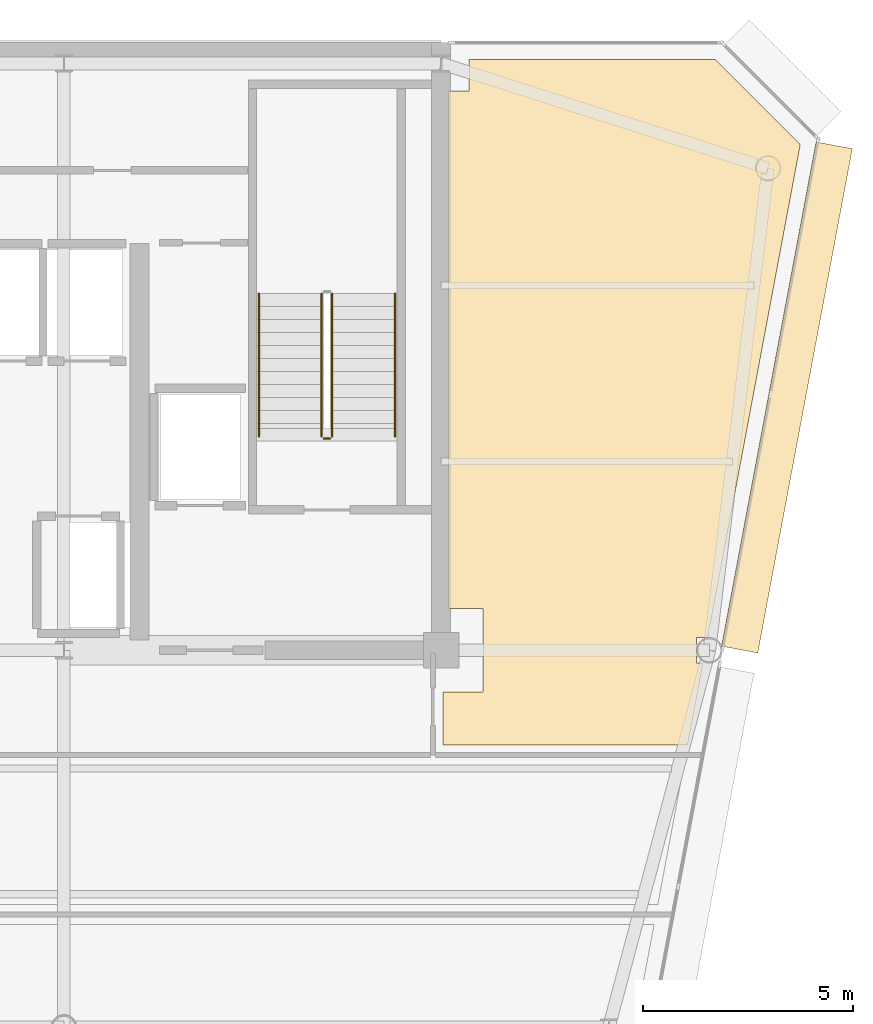
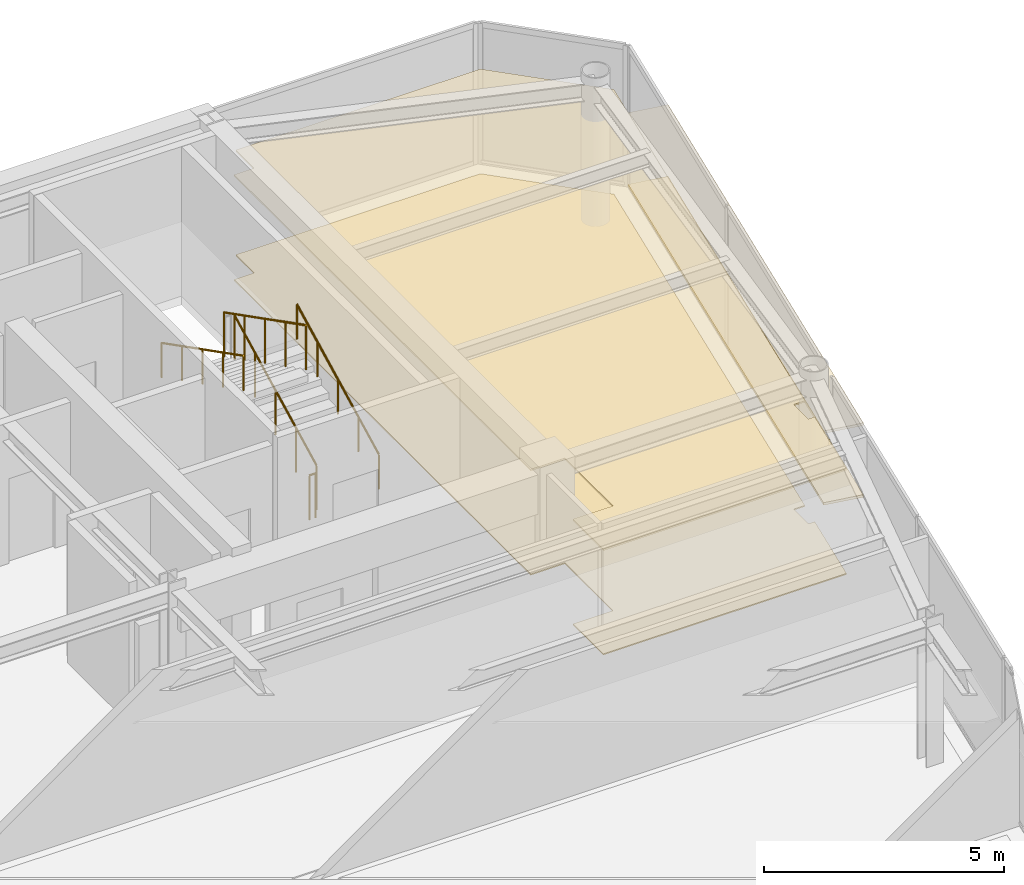
# One storey, part 17 of 20: 5 railings, 4 coverings.
"""IFC4 building model written with IfcOpenShell, lengths in metres."""

import ifcopenshell
import ifcopenshell.guid

model = None  # the IFC model being written
_history = None  # IfcOwnerHistory: only IFC2X3 demands one
_inside = {}  # id of a spatial element -> (the spatial element, [elements in it])
_under = {}  # id of a project, library or spatial element -> (it, [spatial elements below it])
_declared = {}  # id of a project -> (the project, [libraries it declares])
_typed = {}  # id of a type object -> (the type object, [elements of that type])
_made_of = {}  # id of a material, layer set ... -> (it, [elements and type objects made of it])


def new_model(schema):
    """Start an empty IFC model of exactly this schema.

    Asked for "IFC4X3", IfcOpenShell would pick the latest addendum, in which some entities
    have other attributes; the version numbers below select the first issue.
    IFC2X3 requires an IfcOwnerHistory on every rooted entity: one is made here for all.
    """
    global model, _history
    if schema == "IFC4X3":
        model = ifcopenshell.file(schema_version=(4, 3, 0, 0))
    else:
        model = ifcopenshell.file(schema=schema)
    _inside.clear()
    _under.clear()
    _declared.clear()
    _typed.clear()
    _made_of.clear()
    _history = None
    if model.schema == "IFC2X3":
        org = make("IfcOrganization", Name="unknown")
        user = make(
            "IfcPersonAndOrganization",
            ThePerson=make("IfcPerson", FamilyName="unknown"),
            TheOrganization=org,
        )
        app = make(
            "IfcApplication",
            ApplicationDeveloper=org,
            Version="unknown",
            ApplicationFullName="unknown",
            ApplicationIdentifier="unknown",
        )
        _history = make(
            "IfcOwnerHistory",
            OwningUser=user,
            OwningApplication=app,
            ChangeAction="ADDED",
            CreationDate=0,
        )
    return model


def make(cls, **values):
    """One entity of the class cls with the attributes given. An attribute that is None is left unset."""
    return model.create_entity(
        cls, **{name: value for name, value in values.items() if value is not None}
    )


def rooted(cls, **values):
    """An entity with a GlobalId (a new one), such as an element, a storey or a relation."""
    return make(cls, GlobalId=ifcopenshell.guid.new(), OwnerHistory=_history, **values)


def si_unit(unit_type, name, prefix=None):
    """IfcSIUnit, for example si_unit("LENGTHUNIT", "METRE", prefix="MILLI")."""
    return make("IfcSIUnit", UnitType=unit_type, Prefix=prefix, Name=name)


def assignment(units):
    """IfcUnitAssignment: the units of a project."""
    return None if units is None else make("IfcUnitAssignment", Units=units)


def point(xyz):
    """IfcCartesianPoint."""
    return None if xyz is None else make("IfcCartesianPoint", Coordinates=xyz)


def direction(xyz):
    """IfcDirection."""
    return None if xyz is None else make("IfcDirection", DirectionRatios=xyz)


def frame(location, z_axis=None, x_axis=None):
    """IfcAxis2Placement3D, a coordinate frame: its origin and axes. An axis left out is left unset."""
    return make(
        "IfcAxis2Placement3D",
        Location=point(location),
        Axis=direction(z_axis),
        RefDirection=direction(x_axis),
    )


def frame_2d(location, x_axis=None):
    """IfcAxis2Placement2D, a coordinate frame in the plane: its origin and x axis."""
    return make(
        "IfcAxis2Placement2D", Location=point(location), RefDirection=direction(x_axis)
    )


def origin():
    """The frame at (0, 0, 0) with its axes left unset."""
    return frame((0.0, 0.0, 0.0))


def origin_2d():
    """The frame at (0, 0) in the plane with its x axis left unset."""
    return frame_2d((0.0, 0.0))


def place(relative_to, where):
    """IfcLocalPlacement: puts the frame where relative to a parent placement (None: the world)."""
    return make(
        "IfcLocalPlacement", PlacementRelTo=relative_to, RelativePlacement=where
    )


def context(
    kind, dimensions, precision=None, world=None, true_north=None, identifier=None
):
    """IfcGeometricRepresentationContext, for example the 3D "Model" context."""
    return make(
        "IfcGeometricRepresentationContext",
        ContextIdentifier=identifier,
        ContextType=kind,
        CoordinateSpaceDimension=dimensions,
        Precision=precision,
        WorldCoordinateSystem=world,
        TrueNorth=true_north,
    )


def subcontext(parent, identifier, kind, view, scale=None):
    """IfcGeometricRepresentationSubContext, for example "Body" below "Model"."""
    return make(
        "IfcGeometricRepresentationSubContext",
        ContextIdentifier=identifier,
        ContextType=kind,
        ParentContext=parent,
        TargetScale=scale,
        TargetView=view,
    )


def project(units=None, contexts=None):
    """IfcProject with its units and contexts."""
    return rooted(
        "IfcProject",
        Name="project",
        RepresentationContexts=contexts,
        UnitsInContext=assignment(units),
    )


def spatial(cls, under=None, at=None, **own):
    """A site, building, storey or space (cls), placed at a placement, below another one or the project."""
    s = rooted(cls, ObjectPlacement=at, **own)
    if under is not None:
        _under.setdefault(under.id(), (under, []))[1].append(s)
    return s


def polyline(points):
    """IfcPolyline through the points."""
    return make("IfcPolyline", Points=[point(p) for p in points])


def profile(cls, at=None, kind="AREA", **sizes):
    """A parametric profile (cls). Its sizes go by their IFC names, for example OverallWidth=200.0."""
    return make(cls, ProfileType=kind, Position=at, **sizes)


def rectangle(**sizes):
    """IfcRectangleProfileDef."""
    return profile("IfcRectangleProfileDef", **sizes)


def circle(**sizes):
    """IfcCircleProfileDef."""
    return profile("IfcCircleProfileDef", **sizes)


def outline(outer, holes=None, kind="AREA"):
    """IfcArbitraryClosedProfileDef: a profile drawn as a closed curve; with holes, ...WithVoids."""
    if holes is None:
        return make("IfcArbitraryClosedProfileDef", ProfileType=kind, OuterCurve=outer)
    return make(
        "IfcArbitraryProfileDefWithVoids",
        ProfileType=kind,
        OuterCurve=outer,
        InnerCurves=holes,
    )


def extrude(swept, where, along, depth):
    """IfcExtrudedAreaSolid: the profile swept, set in the frame where, extruded along a direction by depth."""
    return make(
        "IfcExtrudedAreaSolid",
        SweptArea=swept,
        Position=where,
        ExtrudedDirection=direction(along),
        Depth=depth,
    )


def shape(context_of_items, identifier, shape_type, items):
    """IfcShapeRepresentation: the items that make up one representation, for example the "Body"."""
    return make(
        "IfcShapeRepresentation",
        ContextOfItems=context_of_items,
        RepresentationIdentifier=identifier,
        RepresentationType=shape_type,
        Items=items,
    )


def source(mapping_origin, context_of_items, identifier, shape_type, items):
    """IfcRepresentationMap: a shape defined once, which mapped items show again and again."""
    return make(
        "IfcRepresentationMap",
        MappingOrigin=mapping_origin,
        MappedRepresentation=shape(context_of_items, identifier, shape_type, items),
    )


def transform(
    local_origin,
    x_axis=None,
    y_axis=None,
    z_axis=None,
    scale=None,
    scale2=None,
    scale3=None,
    uniform=True,
):
    """IfcCartesianTransformationOperator3D, or its non-uniform kind. x_axis, y_axis, z_axis: its Axis1, 2, 3."""
    if uniform:
        return make(
            "IfcCartesianTransformationOperator3D",
            Axis1=direction(x_axis),
            Axis2=direction(y_axis),
            LocalOrigin=point(local_origin),
            Scale=scale,
            Axis3=direction(z_axis),
        )
    return make(
        "IfcCartesianTransformationOperator3DnonUniform",
        Axis1=direction(x_axis),
        Axis2=direction(y_axis),
        LocalOrigin=point(local_origin),
        Scale=scale,
        Axis3=direction(z_axis),
        Scale2=scale2,
        Scale3=scale3,
    )


def mapped(mapping_source, mapping_target):
    """IfcMappedItem: shows the shape of a source again, moved by a transform."""
    return make(
        "IfcMappedItem", MappingSource=mapping_source, MappingTarget=mapping_target
    )


def material(Name=None, Category=None):
    """IfcMaterial."""
    return make("IfcMaterial", Name=Name, Category=Category)


def layer(
    of_material, thickness, ventilated=None, Name=None, Category=None, Priority=None
):
    """IfcMaterialLayer: one layer of a wall or slab, of a material (None: an air gap)."""
    return make(
        "IfcMaterialLayer",
        Material=of_material,
        LayerThickness=thickness,
        IsVentilated=ventilated,
        Name=Name,
        Category=Category,
        Priority=Priority,
    )


def layer_set(layers, Name=None):
    """IfcMaterialLayerSet."""
    return make("IfcMaterialLayerSet", MaterialLayers=layers, LayerSetName=Name)


def made_of(thing, what):
    """Note that an element or type object is made of a material, layer set ...; save() writes the relation."""
    if what is not None:
        _made_of.setdefault(what.id(), (what, []))[1].append(thing)
    return thing


def type_object(cls, material=None, **own):
    """A type object (cls), such as IfcWallType, which elements share."""
    return made_of(rooted(cls, **own), material)


def element(
    cls,
    number,
    at=None,
    inside=None,
    cuts=None,
    type_object=None,
    material=None,
    context=None,
    identifier="Body",
    shape_type=None,
    held_by="IfcProductDefinitionShape",
    body=None,
    shapes=None,
    **own,
):
    """One element of the class cls, such as IfcWall. Its Tag is "e" and its number.

    at: its placement. inside: the storey or other place that contains it. cuts: it is an
    opening in that element (IfcRelVoidsElement). A single representation is given by context,
    identifier, shape_type and body (its items); several are given by shapes. held_by: the class
    of the entity that holds the representations. save() writes the other relations.
    """
    e = rooted(cls, Tag="e%d" % number, ObjectPlacement=at, **own)
    if body is not None:
        shapes = [shape(context, identifier, shape_type, body)]
    if shapes is not None:
        e.Representation = make(held_by, Representations=shapes)
    if inside is not None:
        _inside.setdefault(inside.id(), (inside, []))[1].append(e)
    if cuts is not None:
        rooted(
            "IfcRelVoidsElement", RelatingBuildingElement=cuts, RelatedOpeningElement=e
        )
    if type_object is not None:
        _typed.setdefault(type_object.id(), (type_object, []))[1].append(e)
    return made_of(e, material)


def aggregate(whole, parts):
    """IfcRelAggregates: a whole, such as a stair, and the parts it consists of."""
    return rooted("IfcRelAggregates", RelatingObject=whole, RelatedObjects=parts)


def save(model, path):
    """Write the relations noted so far, then the file.

    IfcRelAggregates (storeys below a building ...), IfcRelContainedInSpatialStructure (elements
    in a storey), IfcRelDefinesByType, IfcRelAssociatesMaterial and IfcRelDeclares: one each for
    every whole, place, type object, material and project.
    """
    for whole, parts in _under.values():
        aggregate(whole, parts)
    for where, things in _inside.values():
        rooted(
            "IfcRelContainedInSpatialStructure",
            RelatedElements=things,
            RelatingStructure=where,
        )
    for kind, things in _typed.values():
        rooted("IfcRelDefinesByType", RelatedObjects=things, RelatingType=kind)
    for what, things in _made_of.values():
        rooted("IfcRelAssociatesMaterial", RelatedObjects=things, RelatingMaterial=what)
    for by, libraries in _declared.values():
        rooted("IfcRelDeclares", RelatingContext=by, RelatedDefinitions=libraries)
    model.write(path)


model = new_model("IFC4")

# Units and contexts
model_context = context("Model", 3, precision=1e-05, world=origin(), true_north=direction((0.0, 1.0)))
body_context = subcontext(model_context, "Body", "Model", "MODEL_VIEW")
ifc_project = project(units=[si_unit("LENGTHUNIT", "METRE"), si_unit("AREAUNIT", "SQUARE_METRE"), si_unit("VOLUMEUNIT", "CUBIC_METRE"), si_unit("PLANEANGLEUNIT", "RADIAN"), si_unit("MASSUNIT", "GRAM", prefix="KILO")], contexts=[model_context])

# Site, building, storey
site_placement = place(None, origin())
site = spatial("IfcSite", under=ifc_project, at=site_placement, CompositionType="ELEMENT")
building_placement = place(site_placement, origin())
building = spatial("IfcBuilding", under=site, at=building_placement, Name="Vaeldorn Concourse Tower", CompositionType="ELEMENT")
storey_placement = place(building_placement, frame((0.0, 0.0, 291.60009765625)))
storey = spatial("IfcBuildingStorey", under=building, at=storey_placement, Name="L75", CompositionType="ELEMENT", Elevation=291.60009765625)

# Coverings
ifc_material_1 = material(Name="Acoustic Mineral Fibre Board", Category="gypsum")
ifc_layer_1 = layer(ifc_material_1, 0.0400390625)
ifc_layer_set_1 = layer_set([ifc_layer_1], Name="Acoustic Mineral Fibre Board")
covering_type_1 = type_object("IfcCoveringType", Name="COV-CEIL-ACOUSTIC", PredefinedType="CEILING", material=ifc_layer_set_1)
covering_1_placement = place(storey_placement, frame((0.0, 0.0, 2.64990234375)))
element("IfcCovering", 1, at=covering_1_placement, inside=storey, type_object=covering_type_1, Name="Suspended Acoustic Ceiling L75-4", PredefinedType="CEILING", context=body_context, shape_type="SweptSolid", body=[
    extrude(outline(polyline([(54.179931640625, 49.840087890625), (54.659912109375, 49.840087890625), (54.659912109375, 50.60009765625), (60.5341796875, 50.60009765625), (62.568115234375, 48.56640625), (60.459716796875, 37.320068359375), (60.459716796875, 37.320068359375), (60.36328125, 36.804931640625), (60.094970703125, 36.804931640625), (60.094970703125, 36.195068359375), (60.248779296875, 36.195068359375), (59.88232421875, 34.239990234375), (54.0400390625, 34.239990234375), (54.0400390625, 35.5), (55.0, 35.5), (55.0, 37.5), (54.179931640625, 37.5), (54.179931640625, 49.840087890625)])), origin(), (0.0, 0.0, 1.0), 0.0400390625),
])
ifc_material_2 = material(Name="Honed Limestone Terrazzo Flooring", Category="masonry")
ifc_layer_2 = layer(ifc_material_2, 0.0400390625)
ifc_layer_set_2 = layer_set([ifc_layer_2], Name="Honed Limestone Terrazzo Flooring")
covering_type_2 = type_object("IfcCoveringType", Name="COV-FLOOR-STONE", PredefinedType="FLOORING", material=ifc_layer_set_2)
covering_2_placement = place(storey_placement, origin())
element("IfcCovering", 2, at=covering_2_placement, inside=storey, type_object=covering_type_2, Name="Floor Finish Covering L75-4", PredefinedType="FLOORING", context=body_context, shape_type="SweptSolid", body=[
    extrude(outline(polyline([(54.179931640625, 49.840087890625), (54.659912109375, 49.840087890625), (54.659912109375, 50.60009765625), (60.5341796875, 50.60009765625), (62.568115234375, 48.56640625), (60.459716796875, 37.320068359375), (60.459716796875, 37.320068359375), (60.36328125, 36.804931640625), (60.094970703125, 36.804931640625), (60.094970703125, 36.195068359375), (60.248779296875, 36.195068359375), (59.88232421875, 34.239990234375), (54.0400390625, 34.239990234375), (54.0400390625, 35.5), (55.0, 35.5), (55.0, 37.5), (54.179931640625, 37.5), (54.179931640625, 49.840087890625)])), origin(), (0.0, 0.0, 1.0), 0.02978515625),
])

# Railings
ifc_material_3 = material(Name="Anodised Bronze Aluminium", Category="aluminium")
railing_type_1 = type_object("IfcRailingType", Name="RL-STAIR-GUARD", PredefinedType="GUARDRAIL", material=ifc_material_3)
railing_1_placement = place(storey_placement, frame((51.39990234375, 41.60009765625, 0.158203125)))
element("IfcRailing", 3, at=railing_1_placement, inside=storey, type_object=railing_type_1, Name="L75 ST-2 stair guard 1", PredefinedType="GUARDRAIL", context=body_context, shape_type="SweptSolid", body=[
    extrude(circle(Radius=0.02392578125, at=origin_2d()), frame((0.0, 0.0, 1.1259765625), z_axis=(0.0, 0.890555807335, 0.454873997962), x_axis=(-1.0, 0.0, 0.0)), (0.0, 0.0, 1.0), 3.828857421875),
    extrude(circle(Radius=0.02099609375, at=origin_2d()), origin(), (0.0, 0.0, 1.0), 1.101806640625),
    extrude(circle(Radius=0.02099609375, at=origin_2d()), frame((0.0, 0.8525390625, 0.435546875)), (0.0, 0.0, 1.0), 1.101806640625),
    extrude(circle(Radius=0.02099609375, at=origin_2d()), frame((0.0, 1.705078125, 0.870849609375)), (0.0, 0.0, 1.0), 1.101806640625),
    extrude(circle(Radius=0.02099609375, at=origin_2d()), frame((0.0, 2.557373046875, 1.30615234375)), (0.0, 0.0, 1.0), 1.101806640625),
    extrude(circle(Radius=0.02099609375, at=origin_2d()), frame((0.0, 3.409912109375, 1.74169921875)), (0.0, 0.0, 1.0), 1.101806640625),
])
railing_2_placement = place(storey_placement, frame((51.14990234375, 45.010009765625, 2.058349609375)))
element("IfcRailing", 4, at=railing_2_placement, inside=storey, type_object=railing_type_1, Name="L75 ST-2 stair guard 3", PredefinedType="GUARDRAIL", context=body_context, shape_type="SweptSolid", body=[
    extrude(circle(Radius=0.02392578125, at=origin_2d()), frame((0.0, 0.0, 1.1259765625), z_axis=(0.0, -0.890581635807, 0.454823427236), x_axis=(1.0, 0.0, 0.0)), (0.0, 0.0, 1.0), 3.828857421875),
    extrude(circle(Radius=0.02099609375, at=origin_2d()), origin(), (0.0, 0.0, 1.0), 1.101806640625),
    extrude(circle(Radius=0.02099609375, at=origin_2d()), frame((0.0, -0.8525390625, 0.435302734375)), (0.0, 0.0, 1.0), 1.101806640625),
    extrude(circle(Radius=0.02099609375, at=origin_2d()), frame((0.0, -1.705078125, 0.87060546875)), (0.0, 0.0, 1.0), 1.101806640625),
    extrude(circle(Radius=0.02099609375, at=origin_2d()), frame((0.0, -2.557373046875, 1.30615234375)), (0.0, 0.0, 1.0), 1.101806640625),
    extrude(circle(Radius=0.02099609375, at=origin_2d()), frame((0.0, -3.409912109375, 1.741455078125)), (0.0, 0.0, 1.0), 1.101806640625),
])
railing_3_placement = place(storey_placement, frame((51.35009765625, 41.550048828125, 0.0)))
element("IfcRailing", 5, at=railing_3_placement, inside=storey, type_object=railing_type_1, Name="L75 ST-2 stair guard 4", PredefinedType="GUARDRAIL", context=body_context, shape_type="SweptSolid", body=[
    extrude(circle(Radius=0.02392578125, at=origin_2d()), frame((0.0, 0.0, 1.1259765625), z_axis=(-1.0, 0.0, 0.0), x_axis=(0.0, -1.0, 0.0)), (0.0, 0.0, 1.0), 0.150146484375),
    extrude(circle(Radius=0.02099609375, at=origin_2d()), origin(), (0.0, 0.0, 1.0), 1.101806640625),
    extrude(circle(Radius=0.02099609375, at=origin_2d()), frame((-0.150146484375, 0.0, 0.0)), (0.0, 0.0, 1.0), 1.101806640625),
])
railing_type_2 = type_object("IfcRailingType", Name="RL-STAIR-HANDRAIL", PredefinedType="HANDRAIL", material=ifc_material_3)
railing_4_placement = place(storey_placement, frame((52.89990234375, 41.60009765625, 0.158203125)))
element("IfcRailing", 6, at=railing_4_placement, inside=storey, type_object=railing_type_2, Name="L75 ST-2 stair handrail 1", PredefinedType="HANDRAIL", context=body_context, shape_type="SweptSolid", body=[
    extrude(circle(Radius=0.02392578125, at=origin_2d()), frame((0.0, 0.0, 0.8759765625), z_axis=(0.0, 0.890555807335, 0.454873997962), x_axis=(-1.0, 0.0, 0.0)), (0.0, 0.0, 1.0), 3.828857421875),
    extrude(circle(Radius=0.02099609375, at=origin_2d()), origin(), (0.0, 0.0, 1.0), 0.851806640625),
    extrude(circle(Radius=0.02099609375, at=origin_2d()), frame((0.0, 0.8525390625, 0.435546875)), (0.0, 0.0, 1.0), 0.851806640625),
    extrude(circle(Radius=0.02099609375, at=origin_2d()), frame((0.0, 1.705078125, 0.870849609375)), (0.0, 0.0, 1.0), 0.851806640625),
    extrude(circle(Radius=0.02099609375, at=origin_2d()), frame((0.0, 2.557373046875, 1.30615234375)), (0.0, 0.0, 1.0), 0.851806640625),
    extrude(circle(Radius=0.02099609375, at=origin_2d()), frame((0.0, 3.409912109375, 1.74169921875)), (0.0, 0.0, 1.0), 0.851806640625),
])
railing_5_placement = place(storey_placement, frame((49.64990234375, 45.010009765625, 2.058349609375)))
element("IfcRailing", 7, at=railing_5_placement, inside=storey, type_object=railing_type_2, Name="L75 ST-2 stair handrail 2", PredefinedType="HANDRAIL", context=body_context, shape_type="SweptSolid", body=[
    extrude(circle(Radius=0.02392578125, at=origin_2d()), frame((0.0, 0.0, 0.8759765625), z_axis=(0.0, -0.890581635807, 0.454823427236), x_axis=(1.0, 0.0, 0.0)), (0.0, 0.0, 1.0), 3.828857421875),
    extrude(circle(Radius=0.02099609375, at=origin_2d()), origin(), (0.0, 0.0, 1.0), 0.851806640625),
    extrude(circle(Radius=0.02099609375, at=origin_2d()), frame((0.0, -0.8525390625, 0.435302734375)), (0.0, 0.0, 1.0), 0.851806640625),
    extrude(circle(Radius=0.02099609375, at=origin_2d()), frame((0.0, -1.705078125, 0.87060546875)), (0.0, 0.0, 1.0), 0.851806640625),
    extrude(circle(Radius=0.02099609375, at=origin_2d()), frame((0.0, -2.557373046875, 1.30615234375)), (0.0, 0.0, 1.0), 0.851806640625),
    extrude(circle(Radius=0.02099609375, at=origin_2d()), frame((0.0, -3.409912109375, 1.741455078125)), (0.0, 0.0, 1.0), 0.851806640625),
])

# Coverings
ifc_layer_3 = layer(ifc_material_3, 0.06494140625)
ifc_layer_set_3 = layer_set([ifc_layer_3], Name="Anodised Bronze Aluminium")
covering_type_3 = type_object("IfcCoveringType", Name="SD-BRONZE-SUNSHADE", PredefinedType="USERDEFINED", material=ifc_layer_set_3)
shared_shape = source(origin(), body_context, "Body", "SweptSolid", [
    extrude(rectangle(XDim=12.241943359375, YDim=0.8798828125, at=origin_2d()), origin(), (0.0, 0.0, 1.0), 0.06494140625),
])
for number, where, z_axis, x_axis, name in (
    (8, (62.250732421875, 42.531494140625, 0.04736328125), (0.0, 0.0, 1.0), (0.1842429853, 0.98288072642, 0.0), "Horizontal Bronze Sunshade L75-E07.2.1"),
    (9, (62.250732421875, 42.531494140625, 1.867431640625), (0.0, 0.0, 1.0), (0.1842429853, 0.98288072642, 0.0), "Horizontal Bronze Sunshade L75-E07.2.2"),
):
    element("IfcCovering", number, at=place(storey_placement, frame(where, z_axis=z_axis, x_axis=x_axis)), inside=storey, type_object=covering_type_3, Name=name, ObjectType="SUNSHADE", PredefinedType="USERDEFINED", context=body_context, shape_type="MappedRepresentation", body=[
        mapped(shared_shape, transform((0.0, 0.0, 0.0), scale=1.0)),
    ])

save(model, "model.ifc")
